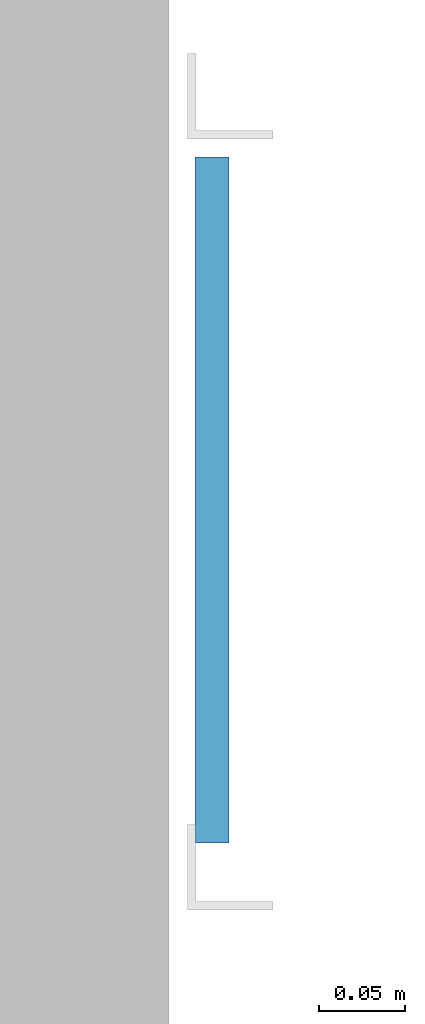
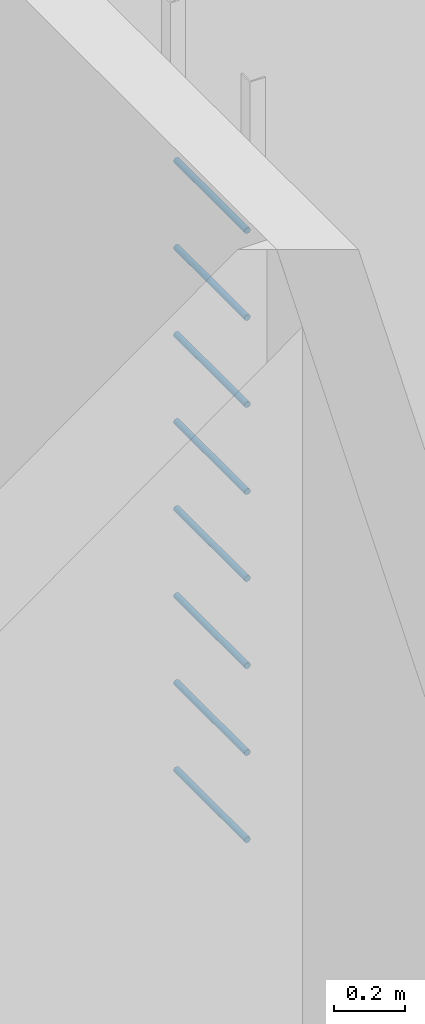
# One storey, part 27 of 87: 8 members.
"""IFC4 building model written with IfcOpenShell, lengths in metres."""

from ifc_helpers import new_model, si_unit, direction, frame, origin, origin_2d, place, context, subcontext, project, spatial, circle, extrude, material, material_profile, profile_set, type_object, element, save


model = new_model("IFC4")

# Units and contexts
model_context = context("Model", 3, precision=1e-05, world=origin(), true_north=direction((0.0, 1.0)))
body_context = subcontext(model_context, "Body", "Model", "MODEL_VIEW")
ifc_project = project(units=[si_unit("LENGTHUNIT", "METRE"), si_unit("AREAUNIT", "SQUARE_METRE"), si_unit("VOLUMEUNIT", "CUBIC_METRE"), si_unit("PLANEANGLEUNIT", "RADIAN"), si_unit("MASSUNIT", "GRAM", prefix="KILO")], contexts=[model_context])

# Site, building, storey
site_placement = place(None, origin())
site = spatial("IfcSite", under=ifc_project, at=site_placement, CompositionType="ELEMENT")
building_placement = place(site_placement, origin())
building = spatial("IfcBuilding", under=site, at=building_placement, Name="Ridgestep Commons", CompositionType="ELEMENT")
storey_placement = place(building_placement, frame((0.0, 0.0, 27.0)))
storey = spatial("IfcBuildingStorey", under=building, at=storey_placement, Name="L09", CompositionType="ELEMENT", Elevation=27.0)

# Members
ifc_material = material(Name="Structural steel S355JR", Category="steel")
ifc_material_profile = material_profile(ifc_material, circle(Radius=0.010009765625, at=origin_2d()), Name="Round bar 20")
ifc_profile_set = profile_set([ifc_material_profile], Name="Structural steel S355JR")
member_type = type_object("IfcMemberType", Name="Core ladder rung 20", PredefinedType="STRINGER", material=ifc_profile_set)
for number, where, z_axis, x_axis, name in (
    (1, (82.199951171875, 75.89990234375, 0.300048828125), (0.0, 1.0, 0.0), (-1.0, 0.0, 0.0), "Ladder rung B5C.1"),
    (2, (82.199951171875, 75.89990234375, 0.60009765625), (0.0, 1.0, 0.0), (-1.0, 0.0, 0.0), "Ladder rung B5C.2"),
    (3, (82.199951171875, 75.89990234375, 0.89990234375), (0.0, 1.0, 0.0), (-1.0, 0.0, 0.0), "Ladder rung B5C.3"),
    (4, (82.199951171875, 75.89990234375, 1.199951171875), (0.0, 1.0, 0.0), (-1.0, 0.0, 0.0), "Ladder rung B5C.4"),
    (5, (82.199951171875, 75.89990234375, 1.5), (0.0, 1.0, 0.0), (-1.0, 0.0, 0.0), "Ladder rung B5C.5"),
    (6, (82.199951171875, 75.89990234375, 1.800048828125), (0.0, 1.0, 0.0), (-1.0, 0.0, 0.0), "Ladder rung B5C.6"),
    (7, (82.199951171875, 75.89990234375, 2.10009765625), (0.0, 1.0, 0.0), (-1.0, 0.0, 0.0), "Ladder rung B5C.7"),
    (8, (82.199951171875, 75.89990234375, 2.39990234375), (0.0, 1.0, 0.0), (-1.0, 0.0, 0.0), "Ladder rung B5C.8"),
):
    element("IfcMember", number, at=place(storey_placement, frame(where, z_axis=z_axis, x_axis=x_axis)), inside=storey, type_object=member_type, Name=name, PredefinedType="STRINGER", context=body_context, shape_type="SweptSolid", body=[
        extrude(circle(Radius=0.010009765625, at=origin_2d()), origin(), (0.0, 0.0, 1.0), 0.400146484375),
    ])

save(model, "model.ifc")
